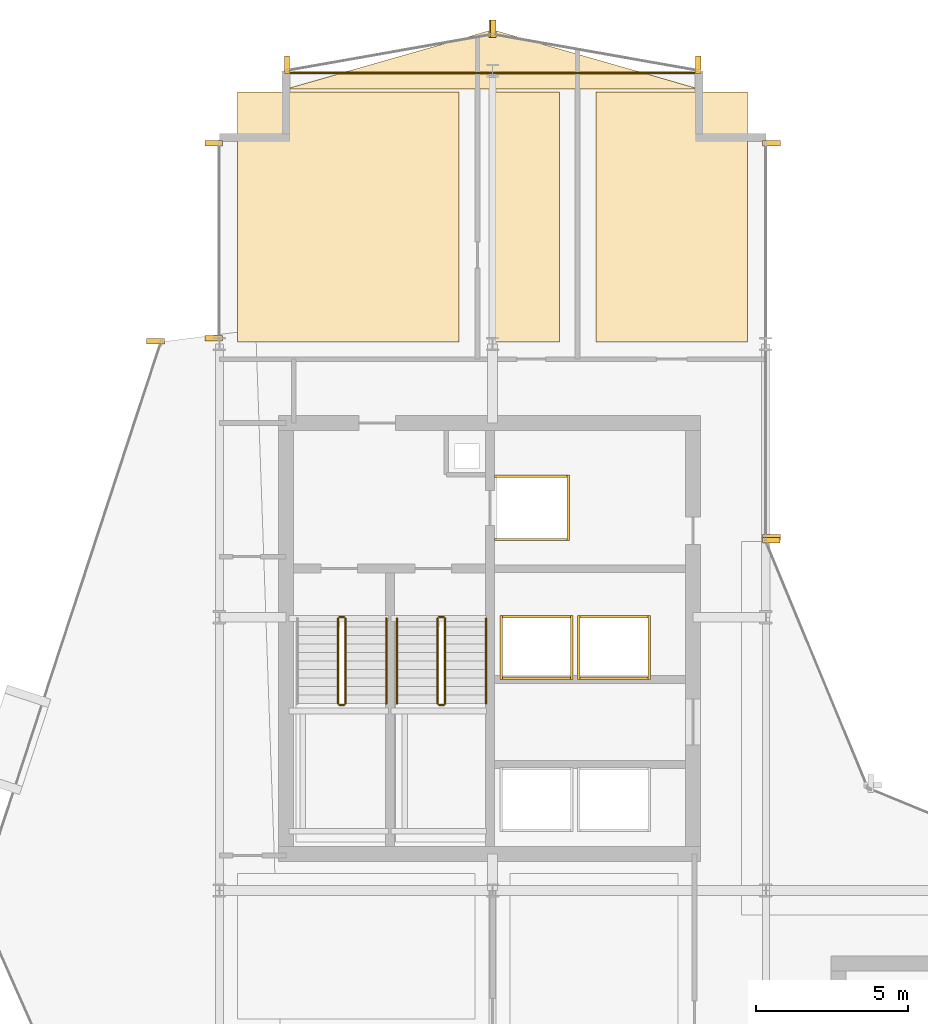
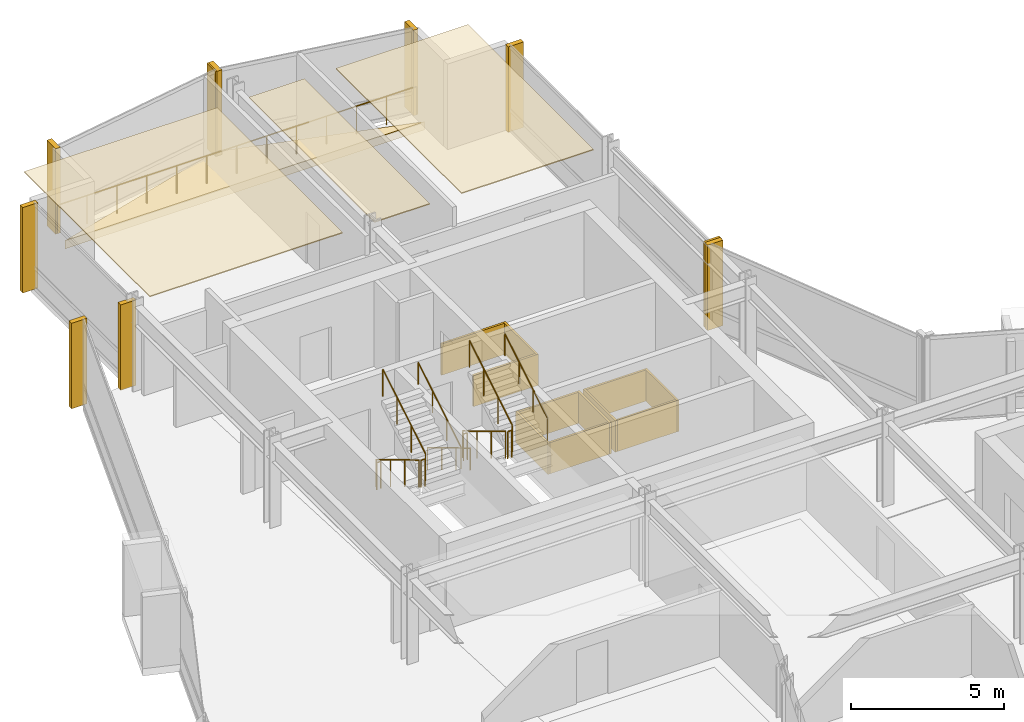
# One storey, part 29 of 29: 25 coverings, 12 railings.
"""IFC4 building model written with IfcOpenShell, lengths in metres."""

from ifc_helpers import new_model, si_unit, direction, frame, origin, origin_2d, place, context, subcontext, project, spatial, polyline, rectangle, circle, outline, extrude, material, layer, layer_set, type_object, element, save


model = new_model("IFC4")

# Units and contexts
model_context = context("Model", 3, precision=1e-05, world=origin(), true_north=direction((0.0, 1.0)))
body_context = subcontext(model_context, "Body", "Model", "MODEL_VIEW")
ifc_project = project(units=[si_unit("LENGTHUNIT", "METRE"), si_unit("AREAUNIT", "SQUARE_METRE"), si_unit("VOLUMEUNIT", "CUBIC_METRE"), si_unit("PLANEANGLEUNIT", "RADIAN"), si_unit("MASSUNIT", "GRAM", prefix="KILO")], contexts=[model_context])

# Site, building, storey
site_placement = place(None, origin())
site = spatial("IfcSite", under=ifc_project, at=site_placement, CompositionType="ELEMENT")
building_placement = place(site_placement, origin())
building = spatial("IfcBuilding", under=site, at=building_placement, Name="Solvaryn Broadcast Tower", CompositionType="ELEMENT")
storey_placement = place(building_placement, frame((0.0, 0.0, 147.0)))
storey = spatial("IfcBuildingStorey", under=building, at=storey_placement, Name="L36", CompositionType="ELEMENT", Elevation=147.0)

# Coverings
ifc_material_1 = material(Name="Micro-Perforated Acoustic Gypsum Ceiling", Category="concrete")
ifc_layer_1 = layer(ifc_material_1, 0.0400390625)
ifc_layer_set_1 = layer_set([ifc_layer_1], Name="CV-CEIL-ACOUSTIC")
covering_type_1 = type_object("IfcCoveringType", Name="CV-CEIL-ACOUSTIC", PredefinedType="CEILING", material=ifc_layer_set_1)
covering_1_placement = place(storey_placement, frame((0.0, 0.0, 3.3798828125)))
element("IfcCovering", 1, at=covering_1_placement, inside=storey, type_object=covering_type_1, Name="L36 Room Acoustic Ceiling 6", PredefinedType="CEILING", context=body_context, shape_type="SweptSolid", body=[
    extrude(outline(polyline([(9.60009765625, 45.070068359375), (16.89990234375, 45.070068359375), (16.89990234375, 53.300048828125), (9.60009765625, 53.300048828125), (9.60009765625, 45.070068359375)])), origin(), (0.0, 0.0, 1.0), 0.0400390625),
])
covering_2_placement = place(storey_placement, frame((0.0, 0.0, 3.3798828125)))
element("IfcCovering", 2, at=covering_2_placement, inside=storey, type_object=covering_type_1, Name="L36 Room Acoustic Ceiling 7", PredefinedType="CEILING", context=body_context, shape_type="SweptSolid", body=[
    extrude(outline(polyline([(18.10009765625, 45.070068359375), (20.199951171875, 45.070068359375), (20.199951171875, 53.300048828125), (18.10009765625, 53.300048828125), (18.10009765625, 45.070068359375)])), origin(), (0.0, 0.0, 1.0), 0.0400390625),
])
covering_3_placement = place(storey_placement, frame((0.0, 0.0, 3.3798828125)))
element("IfcCovering", 3, at=covering_3_placement, inside=storey, type_object=covering_type_1, Name="L36 Room Acoustic Ceiling 8", PredefinedType="CEILING", context=body_context, shape_type="SweptSolid", body=[
    extrude(outline(polyline([(21.39990234375, 45.070068359375), (26.39990234375, 45.070068359375), (26.39990234375, 53.300048828125), (21.39990234375, 53.300048828125), (21.39990234375, 45.070068359375)])), origin(), (0.0, 0.0, 1.0), 0.0400390625),
])
ifc_material_2 = material(Name="Fire-Rated Gypsum Shaftwall Liner", Category="concrete")
ifc_layer_2 = layer(ifc_material_2, 0.080078125)
ifc_layer_set_2 = layer_set([ifc_layer_2], Name="CV-SHAFT-LINER")
covering_type_2 = type_object("IfcCoveringType", Name="CV-SHAFT-LINER", PredefinedType="CLADDING", material=ifc_layer_set_2)
for number, where, z_axis, x_axis, name in (
    (4, (19.300048828125, 40.639892578125, 0.0), (0.0, 0.0, 1.0), (1.0, 0.0, 0.0), "L36 FL1 Hoistway Shaft Liner North"),
    (5, (19.300048828125, 38.56005859375, 0.0), (0.0, 0.0, 1.0), (1.0, 0.0, 0.0), "L36 FL1 Hoistway Shaft Liner South"),
):
    element("IfcCovering", number, at=place(storey_placement, frame(where, z_axis=z_axis, x_axis=x_axis)), inside=storey, type_object=covering_type_2, Name=name, PredefinedType="CLADDING", context=body_context, shape_type="SweptSolid", body=[
        extrude(rectangle(XDim=2.4599609375, YDim=0.080078125, at=origin_2d()), origin(), (0.0, 0.0, 1.0), 1.25),
    ])
covering_4_placement = place(storey_placement, frame((20.489990234375, 39.60009765625, 0.0), z_axis=(0.0, 0.0, 1.0), x_axis=(1.0, 0.0, 0.0)))
element("IfcCovering", 6, at=covering_4_placement, inside=storey, type_object=covering_type_2, Name="L36 FL1 Hoistway Shaft Liner East", PredefinedType="CLADDING", context=body_context, shape_type="SweptSolid", body=[
    extrude(rectangle(XDim=0.080078125, YDim=2.159912109375, at=origin_2d()), origin(), (0.0, 0.0, 1.0), 1.25),
])
for number, where, z_axis, x_axis, name in (
    (7, (19.449951171875, 36.014892578125, 0.0), (0.0, 0.0, 1.0), (1.0, 0.0, 0.0), "L36 PH3 Hoistway Shaft Liner North"),
    (8, (19.449951171875, 33.985107421875, 0.0), (0.0, 0.0, 1.0), (1.0, 0.0, 0.0), "L36 PH3 Hoistway Shaft Liner South"),
):
    element("IfcCovering", number, at=place(storey_placement, frame(where, z_axis=z_axis, x_axis=x_axis)), inside=storey, type_object=covering_type_2, Name=name, PredefinedType="CLADDING", context=body_context, shape_type="SweptSolid", body=[
        extrude(rectangle(XDim=2.409912109375, YDim=0.080078125, at=origin_2d()), origin(), (0.0, 0.0, 1.0), 1.25),
    ])
for number, where, z_axis, x_axis, name in (
    (9, (20.614990234375, 35.0, 0.0), (0.0, 0.0, 1.0), (1.0, 0.0, 0.0), "L36 PH3 Hoistway Shaft Liner East"),
    (10, (18.284912109375, 35.0, 0.0), (0.0, 0.0, 1.0), (1.0, 0.0, 0.0), "L36 PH3 Hoistway Shaft Liner West"),
):
    element("IfcCovering", number, at=place(storey_placement, frame(where, z_axis=z_axis, x_axis=x_axis)), inside=storey, type_object=covering_type_2, Name=name, PredefinedType="CLADDING", context=body_context, shape_type="SweptSolid", body=[
        extrude(rectangle(XDim=0.080078125, YDim=2.110107421875, at=origin_2d()), origin(), (0.0, 0.0, 1.0), 1.25),
    ])
for number, where, z_axis, x_axis, name in (
    (11, (22.0, 36.014892578125, 0.0), (0.0, 0.0, 1.0), (1.0, 0.0, 0.0), "L36 PH4 Hoistway Shaft Liner North"),
    (12, (22.0, 33.985107421875, 0.0), (0.0, 0.0, 1.0), (1.0, 0.0, 0.0), "L36 PH4 Hoistway Shaft Liner South"),
):
    element("IfcCovering", number, at=place(storey_placement, frame(where, z_axis=z_axis, x_axis=x_axis)), inside=storey, type_object=covering_type_2, Name=name, PredefinedType="CLADDING", context=body_context, shape_type="SweptSolid", body=[
        extrude(rectangle(XDim=2.409912109375, YDim=0.080078125, at=origin_2d()), origin(), (0.0, 0.0, 1.0), 1.25),
    ])
for number, where, z_axis, x_axis, name in (
    (13, (23.1650390625, 35.0, 0.0), (0.0, 0.0, 1.0), (1.0, 0.0, 0.0), "L36 PH4 Hoistway Shaft Liner East"),
    (14, (20.8349609375, 35.0, 0.0), (0.0, 0.0, 1.0), (1.0, 0.0, 0.0), "L36 PH4 Hoistway Shaft Liner West"),
):
    element("IfcCovering", number, at=place(storey_placement, frame(where, z_axis=z_axis, x_axis=x_axis)), inside=storey, type_object=covering_type_2, Name=name, PredefinedType="CLADDING", context=body_context, shape_type="SweptSolid", body=[
        extrude(rectangle(XDim=0.080078125, YDim=2.110107421875, at=origin_2d()), origin(), (0.0, 0.0, 1.0), 1.25),
    ])
ifc_material_3 = material(Name="Extruded Architectural Terracotta Fin", Category="masonry")
ifc_layer_3 = layer(ifc_material_3, 0.179931640625)
ifc_layer_set_3 = layer_set([ifc_layer_3], Name="CV-TC-FIN")
covering_type_3 = type_object("IfcCoveringType", Name="CV-TC-FIN", PredefinedType="USERDEFINED", material=ifc_layer_set_3)
for number, where, z_axis, x_axis, name in (
    (15, (6.898681640625, 45.0947265625, 0.0), (0.0, 0.0, 1.0), (1.0, 0.0, 0.0), "L36 Terracotta Vertical Fin FIN-L36-DR1-M00"),
    (16, (8.8125, 45.197021484375, 0.0), (0.0, 0.0, 1.0), (1.0, 0.0, 0.0), "L36 Terracotta Vertical Fin FIN-L36-W2-M00"),
    (17, (8.8125, 51.6201171875, 0.0), (0.0, 0.0, 1.0), (1.0, 0.0, 0.0), "L36 Terracotta Vertical Fin FIN-L36-W2-M01"),
    (18, (27.1875, 51.6201171875, 0.0), (0.0, 0.0, 1.0), (1.0, 0.0, 0.0), "L36 Terracotta Vertical Fin FIN-L36-IV-M00"),
    (19, (27.1875, 38.6298828125, 0.0), (0.0, 0.0, 1.0), (1.0, 0.0, 0.0), "L36 Terracotta Vertical Fin FIN-L36-IV-M01"),
    (20, (27.177978515625, 38.541259765625, 0.0), (0.0, 0.0, 1.0), (1.0, 0.0, 0.0), "L36 Terracotta Vertical Fin FIN-L36-CN2-M01"),
):
    element("IfcCovering", number, at=place(storey_placement, frame(where, z_axis=z_axis, x_axis=x_axis)), inside=storey, type_object=covering_type_3, Name=name, ObjectType="FIN", PredefinedType="USERDEFINED", context=body_context, shape_type="SweptSolid", body=[
        extrude(rectangle(XDim=0.580078125, YDim=0.179931640625, at=origin_2d()), origin(), (0.0, 0.0, 1.0), 3.419921875),
    ])
for number, where, z_axis, x_axis, name in (
    (21, (24.7705078125, 54.192626953125, 0.0), (0.0, 0.0, 1.0), (1.0, 0.0, 0.0), "L36 Terracotta Vertical Fin FIN-L36-NT1-M00"),
    (22, (18.029541015625, 55.38232421875, 0.0), (0.0, 0.0, 1.0), (1.0, 0.0, 0.0), "L36 Terracotta Vertical Fin FIN-L36-NT1-M01"),
    (23, (17.970458984375, 55.38232421875, 0.0), (0.0, 0.0, 1.0), (1.0, 0.0, 0.0), "L36 Terracotta Vertical Fin FIN-L36-NT2-M00"),
    (24, (11.2294921875, 54.192626953125, 0.0), (0.0, 0.0, 1.0), (1.0, 0.0, 0.0), "L36 Terracotta Vertical Fin FIN-L36-NT2-M01"),
):
    element("IfcCovering", number, at=place(storey_placement, frame(where, z_axis=z_axis, x_axis=x_axis)), inside=storey, type_object=covering_type_3, Name=name, ObjectType="FIN", PredefinedType="USERDEFINED", context=body_context, shape_type="SweptSolid", body=[
        extrude(rectangle(XDim=0.179931640625, YDim=0.580078125, at=origin_2d()), origin(), (0.0, 0.0, 1.0), 3.419921875),
    ])
ifc_material_4 = material(Name="Sculpted Architectural Terracotta Wave Fascia", Category="masonry")
ifc_layer_4 = layer(ifc_material_4, 0.340087890625)
ifc_layer_set_4 = layer_set([ifc_layer_4], Name="CV-WAVE-TRAY")
covering_type_4 = type_object("IfcCoveringType", Name="CV-WAVE-TRAY", PredefinedType="CLADDING", material=ifc_layer_set_4)
covering_5_placement = place(storey_placement, frame((0.0, 0.0, -0.300048828125)))
element("IfcCovering", 25, at=covering_5_placement, inside=storey, type_object=covering_type_4, Name="L36 North Curved Wing Deck", PredefinedType="CLADDING", context=body_context, shape_type="SweptSolid", body=[
    extrude(outline(polyline([(11.199951171875, 53.39990234375), (24.800048828125, 53.39990234375), (18.0, 55.35009765625), (11.199951171875, 53.39990234375)])), origin(), (0.0, 0.0, 1.0), 0.330078125),
])

# Railings
ifc_material_5 = material(Name="Painted Steel Stair Well Guard", Category="steel")
railing_type_1 = type_object("IfcRailingType", Name="RL-STAIR-GUARD", PredefinedType="BALUSTRADE", material=ifc_material_5)
railing_1_placement = place(storey_placement, frame((12.909912109375, 35.9599609375, 0.168212890625)))
element("IfcRailing", 26, at=railing_1_placement, inside=storey, type_object=railing_type_1, Name="L36 ST1 stair guard 1", PredefinedType="BALUSTRADE", context=body_context, shape_type="SweptSolid", body=[
    extrude(circle(Radius=0.02392578125, at=origin_2d()), frame((0.0, 0.0, 1.076171875), z_axis=(0.0, -0.857242210791, 0.514913383045), x_axis=(1.0, 0.0, 0.0)), (0.0, 0.0, 1.0), 3.266357421875),
    extrude(circle(Radius=0.02099609375, at=origin_2d()), origin(), (0.0, 0.0, 1.0), 1.052001953125),
    extrude(circle(Radius=0.02099609375, at=origin_2d()), frame((0.0, -0.933349609375, 0.560546875)), (0.0, 0.0, 1.0), 1.052001953125),
    extrude(circle(Radius=0.02099609375, at=origin_2d()), frame((0.0, -1.86669921875, 1.121337890625)), (0.0, 0.0, 1.0), 1.052001953125),
    extrude(circle(Radius=0.02099609375, at=origin_2d()), frame((0.0, -2.800048828125, 1.681884765625)), (0.0, 0.0, 1.0), 1.052001953125),
])
railing_2_placement = place(storey_placement, frame((12.9599609375, 33.110107421875, 1.85009765625)))
element("IfcRailing", 27, at=railing_2_placement, inside=storey, type_object=railing_type_1, Name="L36 ST1 stair guard 2", PredefinedType="BALUSTRADE", context=body_context, shape_type="SweptSolid", body=[
    extrude(circle(Radius=0.02392578125, at=origin_2d()), frame((0.0, 0.0, 1.076171875), z_axis=(1.0, 0.0, 0.0), x_axis=(0.0, 1.0, 0.0)), (0.0, 0.0, 1.0), 0.150146484375),
    extrude(circle(Radius=0.02099609375, at=origin_2d()), origin(), (0.0, 0.0, 1.0), 1.052001953125),
    extrude(circle(Radius=0.02099609375, at=origin_2d()), frame((0.150146484375, 0.0, 0.0)), (0.0, 0.0, 1.0), 1.052001953125),
])
railing_3_placement = place(storey_placement, frame((13.159912109375, 33.159912109375, 2.01806640625)))
element("IfcRailing", 28, at=railing_3_placement, inside=storey, type_object=railing_type_1, Name="L36 ST1 stair guard 3", PredefinedType="BALUSTRADE", context=body_context, shape_type="SweptSolid", body=[
    extrude(circle(Radius=0.02392578125, at=origin_2d()), frame((0.0, 0.0, 1.076171875), z_axis=(0.0, 0.857242210791, 0.514913383045), x_axis=(-1.0, 0.0, 0.0)), (0.0, 0.0, 1.0), 3.266357421875),
    extrude(circle(Radius=0.02099609375, at=origin_2d()), origin(), (0.0, 0.0, 1.0), 1.052001953125),
    extrude(circle(Radius=0.02099609375, at=origin_2d()), frame((0.0, 0.933349609375, 0.560546875)), (0.0, 0.0, 1.0), 1.052001953125),
    extrude(circle(Radius=0.02099609375, at=origin_2d()), frame((0.0, 1.86669921875, 1.121337890625)), (0.0, 0.0, 1.0), 1.052001953125),
    extrude(circle(Radius=0.02099609375, at=origin_2d()), frame((0.0, 2.800048828125, 1.681884765625)), (0.0, 0.0, 1.0), 1.052001953125),
])
railing_4_placement = place(storey_placement, frame((12.9599609375, 36.010009765625, 0.0)))
element("IfcRailing", 29, at=railing_4_placement, inside=storey, type_object=railing_type_1, Name="L36 ST1 stair guard 4", PredefinedType="BALUSTRADE", context=body_context, shape_type="SweptSolid", body=[
    extrude(circle(Radius=0.02392578125, at=origin_2d()), frame((0.0, 0.0, 1.076171875), z_axis=(1.0, 0.0, 0.0), x_axis=(0.0, 1.0, 0.0)), (0.0, 0.0, 1.0), 0.150146484375),
    extrude(circle(Radius=0.02099609375, at=origin_2d()), origin(), (0.0, 0.0, 1.0), 1.052001953125),
    extrude(circle(Radius=0.02099609375, at=origin_2d()), frame((0.150146484375, 0.0, 0.0)), (0.0, 0.0, 1.0), 1.052001953125),
])
railing_5_placement = place(storey_placement, frame((16.18994140625, 35.9599609375, 0.168212890625)))
element("IfcRailing", 30, at=railing_5_placement, inside=storey, type_object=railing_type_1, Name="L36 ST2 stair guard 1", PredefinedType="BALUSTRADE", context=body_context, shape_type="SweptSolid", body=[
    extrude(circle(Radius=0.02392578125, at=origin_2d()), frame((0.0, 0.0, 1.076171875), z_axis=(0.0, -0.857242210791, 0.514913383045), x_axis=(1.0, 0.0, 0.0)), (0.0, 0.0, 1.0), 3.266357421875),
    extrude(circle(Radius=0.02099609375, at=origin_2d()), origin(), (0.0, 0.0, 1.0), 1.052001953125),
    extrude(circle(Radius=0.02099609375, at=origin_2d()), frame((0.0, -0.933349609375, 0.560546875)), (0.0, 0.0, 1.0), 1.052001953125),
    extrude(circle(Radius=0.02099609375, at=origin_2d()), frame((0.0, -1.86669921875, 1.121337890625)), (0.0, 0.0, 1.0), 1.052001953125),
    extrude(circle(Radius=0.02099609375, at=origin_2d()), frame((0.0, -2.800048828125, 1.681884765625)), (0.0, 0.0, 1.0), 1.052001953125),
])
railing_6_placement = place(storey_placement, frame((16.239990234375, 33.110107421875, 1.85009765625)))
element("IfcRailing", 31, at=railing_6_placement, inside=storey, type_object=railing_type_1, Name="L36 ST2 stair guard 2", PredefinedType="BALUSTRADE", context=body_context, shape_type="SweptSolid", body=[
    extrude(circle(Radius=0.02392578125, at=origin_2d()), frame((0.0, 0.0, 1.076171875), z_axis=(1.0, 0.0, 0.0), x_axis=(0.0, 1.0, 0.0)), (0.0, 0.0, 1.0), 0.14990234375),
    extrude(circle(Radius=0.02099609375, at=origin_2d()), origin(), (0.0, 0.0, 1.0), 1.052001953125),
    extrude(circle(Radius=0.02099609375, at=origin_2d()), frame((0.14990234375, 0.0, 0.0)), (0.0, 0.0, 1.0), 1.052001953125),
])
railing_7_placement = place(storey_placement, frame((16.43994140625, 33.159912109375, 2.01806640625)))
element("IfcRailing", 32, at=railing_7_placement, inside=storey, type_object=railing_type_1, Name="L36 ST2 stair guard 3", PredefinedType="BALUSTRADE", context=body_context, shape_type="SweptSolid", body=[
    extrude(circle(Radius=0.02392578125, at=origin_2d()), frame((0.0, 0.0, 1.076171875), z_axis=(0.0, 0.857242210791, 0.514913383045), x_axis=(-1.0, 0.0, 0.0)), (0.0, 0.0, 1.0), 3.266357421875),
    extrude(circle(Radius=0.02099609375, at=origin_2d()), origin(), (0.0, 0.0, 1.0), 1.052001953125),
    extrude(circle(Radius=0.02099609375, at=origin_2d()), frame((0.0, 0.933349609375, 0.560546875)), (0.0, 0.0, 1.0), 1.052001953125),
    extrude(circle(Radius=0.02099609375, at=origin_2d()), frame((0.0, 1.86669921875, 1.121337890625)), (0.0, 0.0, 1.0), 1.052001953125),
    extrude(circle(Radius=0.02099609375, at=origin_2d()), frame((0.0, 2.800048828125, 1.681884765625)), (0.0, 0.0, 1.0), 1.052001953125),
])
railing_8_placement = place(storey_placement, frame((16.239990234375, 36.010009765625, 0.0)))
element("IfcRailing", 33, at=railing_8_placement, inside=storey, type_object=railing_type_1, Name="L36 ST2 stair guard 4", PredefinedType="BALUSTRADE", context=body_context, shape_type="SweptSolid", body=[
    extrude(circle(Radius=0.02392578125, at=origin_2d()), frame((0.0, 0.0, 1.076171875), z_axis=(1.0, 0.0, 0.0), x_axis=(0.0, 1.0, 0.0)), (0.0, 0.0, 1.0), 0.14990234375),
    extrude(circle(Radius=0.02099609375, at=origin_2d()), origin(), (0.0, 0.0, 1.0), 1.052001953125),
    extrude(circle(Radius=0.02099609375, at=origin_2d()), frame((0.14990234375, 0.0, 0.0)), (0.0, 0.0, 1.0), 1.052001953125),
])
ifc_material_6 = material(Name="Brushed Stainless Steel Tubular Handrail", Category="steel")
railing_type_2 = type_object("IfcRailingType", Name="RL-STAIR-HANDRAIL", PredefinedType="HANDRAIL", material=ifc_material_6)
railing_9_placement = place(storey_placement, frame((14.5, 33.159912109375, 2.01806640625)))
element("IfcRailing", 34, at=railing_9_placement, inside=storey, type_object=railing_type_2, Name="L36 ST1 stair handrail 2", PredefinedType="HANDRAIL", context=body_context, shape_type="SweptSolid", body=[
    extrude(circle(Radius=0.02392578125, at=origin_2d()), frame((0.0, 0.0, 0.8759765625), z_axis=(0.0, 0.857242210791, 0.514913383045), x_axis=(-1.0, 0.0, 0.0)), (0.0, 0.0, 1.0), 3.266357421875),
    extrude(circle(Radius=0.02099609375, at=origin_2d()), origin(), (0.0, 0.0, 1.0), 0.851806640625),
    extrude(circle(Radius=0.02099609375, at=origin_2d()), frame((0.0, 0.933349609375, 0.560546875)), (0.0, 0.0, 1.0), 0.851806640625),
    extrude(circle(Radius=0.02099609375, at=origin_2d()), frame((0.0, 1.86669921875, 1.121337890625)), (0.0, 0.0, 1.0), 0.851806640625),
    extrude(circle(Radius=0.02099609375, at=origin_2d()), frame((0.0, 2.800048828125, 1.681884765625)), (0.0, 0.0, 1.0), 0.851806640625),
])
railing_10_placement = place(storey_placement, frame((14.85009765625, 35.9599609375, 0.168212890625)))
element("IfcRailing", 35, at=railing_10_placement, inside=storey, type_object=railing_type_2, Name="L36 ST2 stair handrail 1", PredefinedType="HANDRAIL", context=body_context, shape_type="SweptSolid", body=[
    extrude(circle(Radius=0.02392578125, at=origin_2d()), frame((0.0, 0.0, 0.8759765625), z_axis=(0.0, -0.857242210791, 0.514913383045), x_axis=(1.0, 0.0, 0.0)), (0.0, 0.0, 1.0), 3.266357421875),
    extrude(circle(Radius=0.02099609375, at=origin_2d()), origin(), (0.0, 0.0, 1.0), 0.851806640625),
    extrude(circle(Radius=0.02099609375, at=origin_2d()), frame((0.0, -0.933349609375, 0.560546875)), (0.0, 0.0, 1.0), 0.851806640625),
    extrude(circle(Radius=0.02099609375, at=origin_2d()), frame((0.0, -1.86669921875, 1.121337890625)), (0.0, 0.0, 1.0), 0.851806640625),
    extrude(circle(Radius=0.02099609375, at=origin_2d()), frame((0.0, -2.800048828125, 1.681884765625)), (0.0, 0.0, 1.0), 0.851806640625),
])
railing_11_placement = place(storey_placement, frame((17.780029296875, 33.159912109375, 2.01806640625)))
element("IfcRailing", 36, at=railing_11_placement, inside=storey, type_object=railing_type_2, Name="L36 ST2 stair handrail 2", PredefinedType="HANDRAIL", context=body_context, shape_type="SweptSolid", body=[
    extrude(circle(Radius=0.02392578125, at=origin_2d()), frame((0.0, 0.0, 0.8759765625), z_axis=(0.0, 0.857242210791, 0.514913383045), x_axis=(-1.0, 0.0, 0.0)), (0.0, 0.0, 1.0), 3.266357421875),
    extrude(circle(Radius=0.02099609375, at=origin_2d()), origin(), (0.0, 0.0, 1.0), 0.851806640625),
    extrude(circle(Radius=0.02099609375, at=origin_2d()), frame((0.0, 0.933349609375, 0.560546875)), (0.0, 0.0, 1.0), 0.851806640625),
    extrude(circle(Radius=0.02099609375, at=origin_2d()), frame((0.0, 1.86669921875, 1.121337890625)), (0.0, 0.0, 1.0), 0.851806640625),
    extrude(circle(Radius=0.02099609375, at=origin_2d()), frame((0.0, 2.800048828125, 1.681884765625)), (0.0, 0.0, 1.0), 0.851806640625),
])
ifc_material_7 = material(Name="Stainless Steel and Laminated Glass Guard", Category="steel")
railing_type_3 = type_object("IfcRailingType", Name="RL-TER-1150", PredefinedType="BALUSTRADE", material=ifc_material_7)
railing_12_placement = place(storey_placement, frame((11.199951171875, 53.919921875, 0.0)))
element("IfcRailing", 37, at=railing_12_placement, inside=storey, type_object=railing_type_3, Name="L36 North Wing Spandrel Edge Guard", PredefinedType="BALUSTRADE", context=body_context, shape_type="SweptSolid", body=[
    extrude(circle(Radius=0.02392578125, at=origin_2d()), frame((0.0, 0.0, 1.1259765625), z_axis=(1.0, 0.0, 0.0), x_axis=(0.0, 1.0, 0.0)), (0.0, 0.0, 1.0), 13.60009765625),
    extrude(circle(Radius=0.02099609375, at=origin_2d()), origin(), (0.0, 0.0, 1.0), 1.101806640625),
    extrude(circle(Radius=0.02099609375, at=origin_2d()), frame((1.13330078125, 0.0, 0.0)), (0.0, 0.0, 1.0), 1.101806640625),
    extrude(circle(Radius=0.02099609375, at=origin_2d()), frame((2.2666015625, 0.0, 0.0)), (0.0, 0.0, 1.0), 1.101806640625),
    extrude(circle(Radius=0.02099609375, at=origin_2d()), frame((3.39990234375, 0.0, 0.0)), (0.0, 0.0, 1.0), 1.101806640625),
    extrude(circle(Radius=0.02099609375, at=origin_2d()), frame((4.533447265625, 0.0, 0.0)), (0.0, 0.0, 1.0), 1.101806640625),
    extrude(circle(Radius=0.02099609375, at=origin_2d()), frame((5.666748046875, 0.0, 0.0)), (0.0, 0.0, 1.0), 1.101806640625),
    extrude(circle(Radius=0.02099609375, at=origin_2d()), frame((6.800048828125, 0.0, 0.0)), (0.0, 0.0, 1.0), 1.101806640625),
    extrude(circle(Radius=0.02099609375, at=origin_2d()), frame((7.933349609375, 0.0, 0.0)), (0.0, 0.0, 1.0), 1.101806640625),
    extrude(circle(Radius=0.02099609375, at=origin_2d()), frame((9.066650390625, 0.0, 0.0)), (0.0, 0.0, 1.0), 1.101806640625),
    extrude(circle(Radius=0.02099609375, at=origin_2d()), frame((10.2001953125, 0.0, 0.0)), (0.0, 0.0, 1.0), 1.101806640625),
    extrude(circle(Radius=0.02099609375, at=origin_2d()), frame((11.33349609375, 0.0, 0.0)), (0.0, 0.0, 1.0), 1.101806640625),
    extrude(circle(Radius=0.02099609375, at=origin_2d()), frame((12.466796875, 0.0, 0.0)), (0.0, 0.0, 1.0), 1.101806640625),
    extrude(circle(Radius=0.02099609375, at=origin_2d()), frame((13.60009765625, 0.0, 0.0)), (0.0, 0.0, 1.0), 1.101806640625),
])

save(model, "model.ifc")
